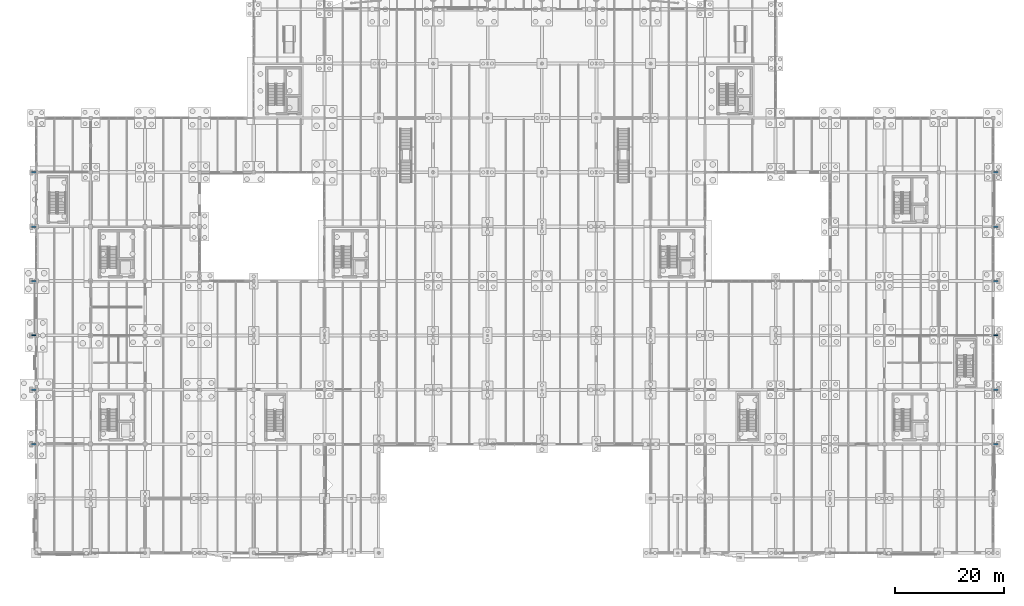
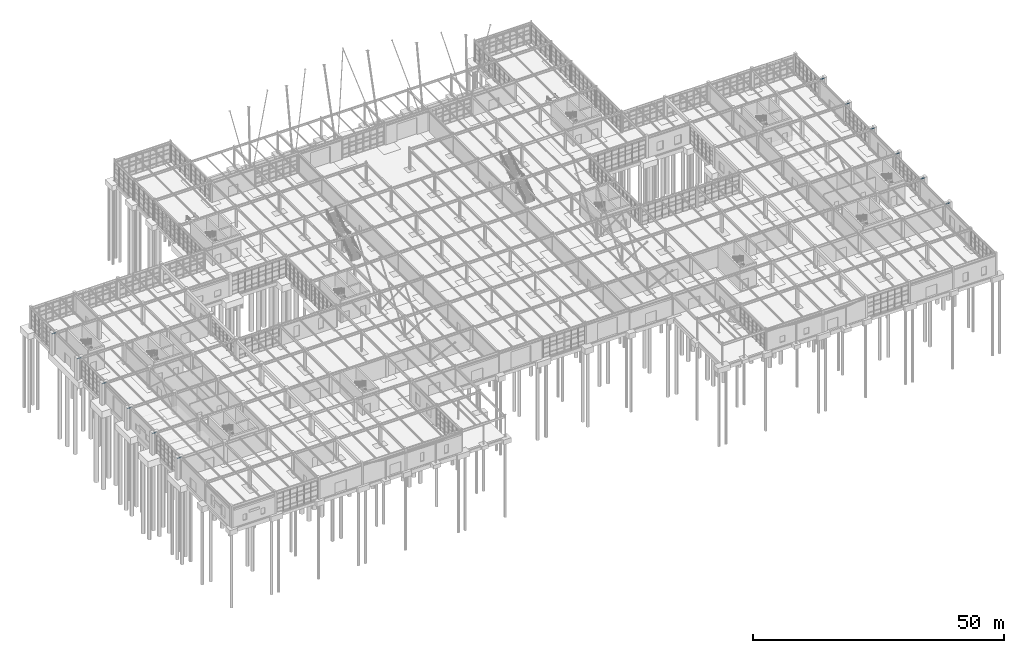
# One storey, part 81 of 145: 12 beams.
"""IFC4 building model written with IfcOpenShell, lengths in metres."""

from ifc_helpers import new_model, si_unit, direction, frame, origin, origin_2d, place, context, subcontext, project, spatial, hollow_rectangle, extrude, material, material_profile, profile_set, type_object, element, save


model = new_model("IFC4")

# Units and contexts
model_context = context("Model", 3, precision=1e-05, world=origin(), true_north=direction((0.0, 1.0)))
body_context = subcontext(model_context, "Body", "Model", "MODEL_VIEW")
ifc_project = project(units=[si_unit("LENGTHUNIT", "METRE"), si_unit("AREAUNIT", "SQUARE_METRE"), si_unit("VOLUMEUNIT", "CUBIC_METRE"), si_unit("PLANEANGLEUNIT", "RADIAN"), si_unit("MASSUNIT", "GRAM", prefix="KILO"), si_unit("THERMODYNAMICTEMPERATUREUNIT", "KELVIN"), si_unit("POWERUNIT", "WATT")], contexts=[model_context])

# Site, building, storey
site_placement = place(None, origin())
site = spatial("IfcSite", under=ifc_project, at=site_placement, CompositionType="ELEMENT")
building_placement = place(site_placement, origin())
building = spatial("IfcBuilding", under=site, at=building_placement, Name="Korenveer Ferry Terminal", CompositionType="ELEMENT")
storey_placement = place(building_placement, origin())
storey = spatial("IfcBuildingStorey", under=building, at=storey_placement, Name="L00", CompositionType="ELEMENT", Elevation=0.0)

# Beams
ifc_material = material(Name="Steel S355", Category="steel")
ifc_material_profile = material_profile(ifc_material, hollow_rectangle(XDim=0.179931640625, YDim=0.179931640625, WallThickness=0.010009765625, InnerFilletRadius=0.010009765625, OuterFilletRadius=0.014892578125, at=origin_2d()), Name="SHS 180x180x10")
ifc_profile_set = profile_set([ifc_material_profile], Name="Steel S355")
beam_type = type_object("IfcBeamType", Name="STR-LNT-SHS180", PredefinedType="LINTEL", material=ifc_profile_set)
for number, where, z_axis, x_axis, name in (
    (1, (-0.949951171875, 20.0, 4.949951171875), (1.0, 0.0, 0.0), (0.0, 1.0, 0.0), "Buttress tie beam PIL-TIE-L00-X0-Y20"),
    (2, (-0.949951171875, 30.0, 4.949951171875), (1.0, 0.0, 0.0), (0.0, 1.0, 0.0), "Buttress tie beam PIL-TIE-L00-X0-Y30"),
    (3, (-0.949951171875, 40.0, 4.949951171875), (1.0, 0.0, 0.0), (0.0, 1.0, 0.0), "Buttress tie beam PIL-TIE-L00-X0-Y40"),
    (4, (-0.949951171875, 50.0, 4.949951171875), (1.0, 0.0, 0.0), (0.0, 1.0, 0.0), "Buttress tie beam PIL-TIE-L00-X0-Y50"),
    (5, (-0.949951171875, 60.0, 4.949951171875), (1.0, 0.0, 0.0), (0.0, 1.0, 0.0), "Buttress tie beam PIL-TIE-L00-X0-Y60"),
    (6, (-0.949951171875, 70.0, 4.949951171875), (1.0, 0.0, 0.0), (0.0, 1.0, 0.0), "Buttress tie beam PIL-TIE-L00-X0-Y70"),
    (7, (176.0, 20.0, 4.949951171875), (1.0, 0.0, 0.0), (0.0, 1.0, 0.0), "Buttress tie beam PIL-TIE-L00-X176-Y20"),
    (8, (176.0, 30.0, 4.949951171875), (1.0, 0.0, 0.0), (0.0, 1.0, 0.0), "Buttress tie beam PIL-TIE-L00-X176-Y30"),
    (9, (176.0, 40.0, 4.949951171875), (1.0, 0.0, 0.0), (0.0, 1.0, 0.0), "Buttress tie beam PIL-TIE-L00-X176-Y40"),
    (10, (176.0, 50.0, 4.949951171875), (1.0, 0.0, 0.0), (0.0, 1.0, 0.0), "Buttress tie beam PIL-TIE-L00-X176-Y50"),
    (11, (176.0, 60.0, 4.949951171875), (1.0, 0.0, 0.0), (0.0, 1.0, 0.0), "Buttress tie beam PIL-TIE-L00-X176-Y60"),
    (12, (176.0, 70.0, 4.949951171875), (1.0, 0.0, 0.0), (0.0, 1.0, 0.0), "Buttress tie beam PIL-TIE-L00-X176-Y70"),
):
    element("IfcBeam", number, at=place(storey_placement, frame(where, z_axis=z_axis, x_axis=x_axis)), inside=storey, type_object=beam_type, Name=name, PredefinedType="LINTEL", context=body_context, shape_type="SweptSolid", body=[
        extrude(hollow_rectangle(XDim=0.179931640625, YDim=0.179931640625, WallThickness=0.010009765625, InnerFilletRadius=0.010009765625, OuterFilletRadius=0.014892578125, at=origin_2d()), origin(), (0.0, 0.0, 1.0), 0.949951171875),
    ])

save(model, "model.ifc")
